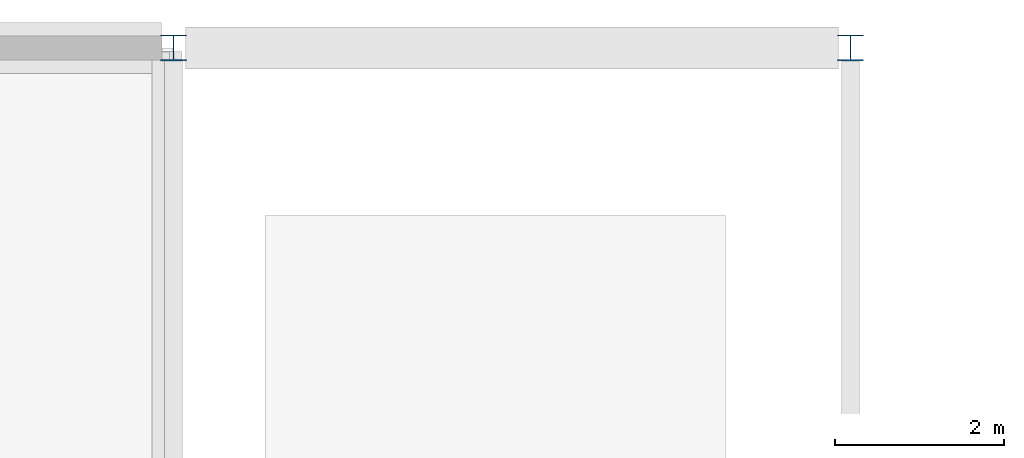
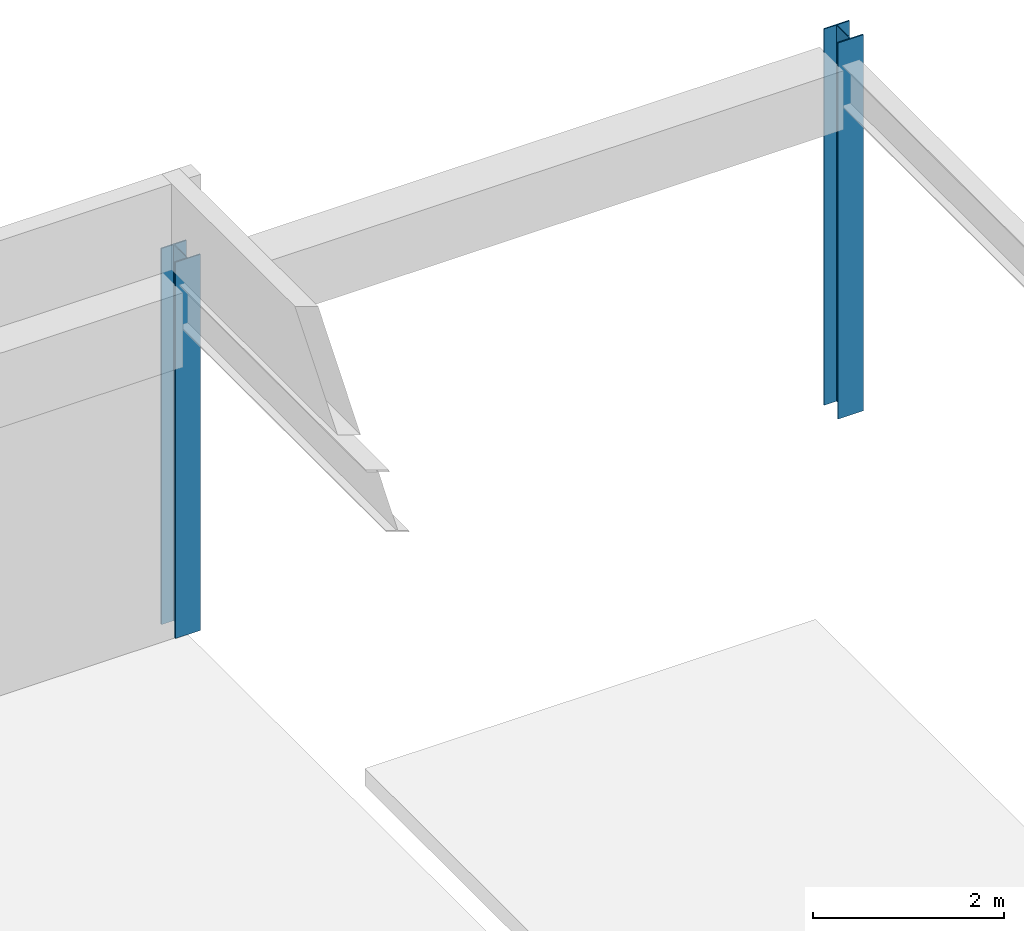
# One storey, part 20 of 122: 2 columns.
"""IFC4 building model written with IfcOpenShell, lengths in metres."""

from ifc_helpers import new_model, si_unit, direction, frame, origin, origin_2d, place, context, subcontext, project, spatial, i_section, extrude, material, material_profile, profile_set, type_object, element, save


model = new_model("IFC4")

# Units and contexts
model_context = context("Model", 3, precision=1e-05, world=origin(), true_north=direction((0.0, 1.0)))
body_context = subcontext(model_context, "Body", "Model", "MODEL_VIEW")
ifc_project = project(units=[si_unit("LENGTHUNIT", "METRE"), si_unit("AREAUNIT", "SQUARE_METRE"), si_unit("VOLUMEUNIT", "CUBIC_METRE"), si_unit("PLANEANGLEUNIT", "RADIAN"), si_unit("MASSUNIT", "GRAM", prefix="KILO")], contexts=[model_context])

# Site, building, storey
site_placement = place(None, origin())
site = spatial("IfcSite", under=ifc_project, at=site_placement, CompositionType="ELEMENT")
building_placement = place(site_placement, origin())
building = spatial("IfcBuilding", under=site, at=building_placement, Name="Cuetzalor Civic Arena", CompositionType="ELEMENT")
storey_placement = place(building_placement, frame((0.0, 0.0, 16.199951171875)))
storey = spatial("IfcBuildingStorey", under=building, at=storey_placement, Name="L03", CompositionType="ELEMENT", Elevation=16.199951171875)

# Columns
ifc_material = material(Name="Steel S355", Category="steel")
ifc_material_profile = material_profile(ifc_material, i_section(OverallWidth=0.304931640625, OverallDepth=0.30810546875, WebThickness=0.010009765625, FlangeThickness=0.015380859375, at=origin_2d()), Name="W310x97")
ifc_profile_set = profile_set([ifc_material_profile], Name="Steel S355")
column_type = type_object("IfcColumnType", Name="SteelGalleryColumn_W310", PredefinedType="COLUMN", material=ifc_profile_set)
for number, where, z_axis, x_axis, name in (
    (1, (64.0, 75.5, 0.0), (0.0, 0.0, 1.0), (1.0, 0.0, 0.0), "Column V5-C-14-05 L03"),
    (2, (72.0, 75.5, 0.0), (0.0, 0.0, 1.0), (1.0, 0.0, 0.0), "Column V5-C-15-05 L03"),
):
    element("IfcColumn", number, at=place(storey_placement, frame(where, z_axis=z_axis, x_axis=x_axis)), inside=storey, type_object=column_type, Name=name, PredefinedType="COLUMN", context=body_context, shape_type="SweptSolid", body=[
        extrude(i_section(OverallWidth=0.304931640625, OverallDepth=0.30810546875, WebThickness=0.010009765625, FlangeThickness=0.015380859375, at=origin_2d()), origin(), (0.0, 0.0, 1.0), 4.800048828125),
    ])

save(model, "model.ifc")
